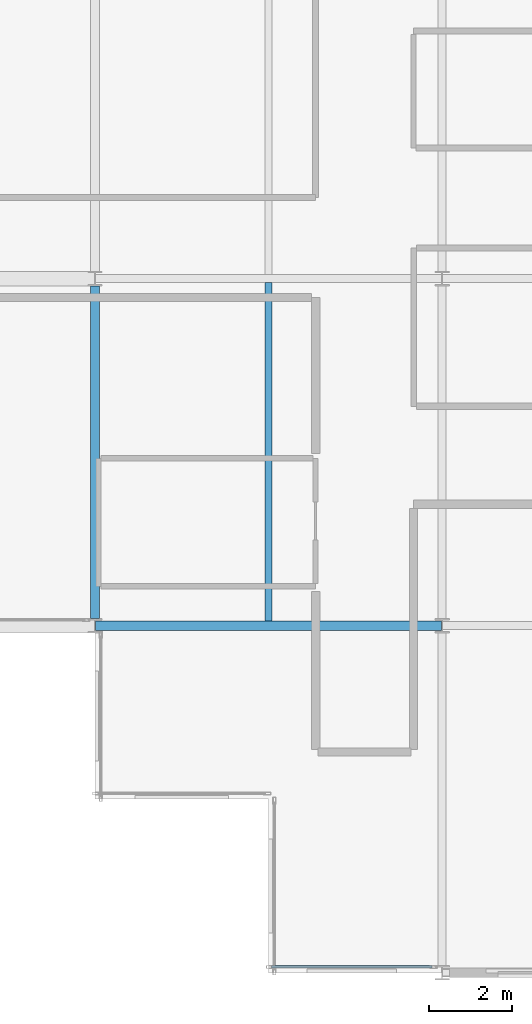
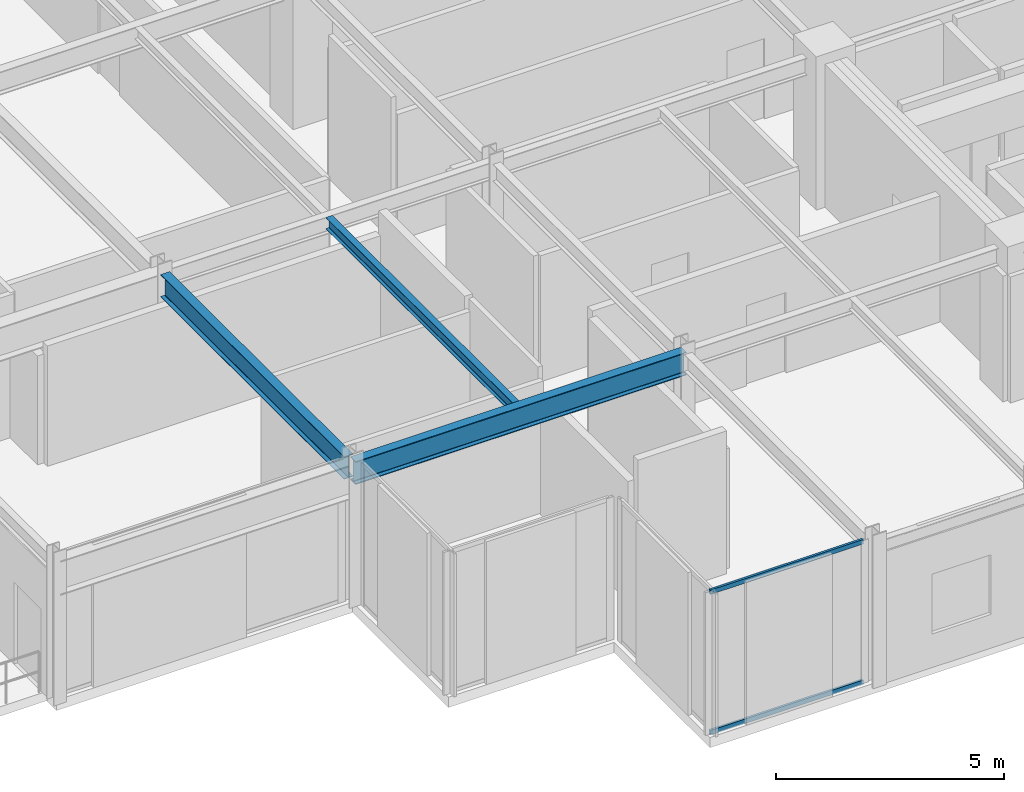
# One storey, part 5 of 29: 3 beams, 2 members, 1 element without a shape of its own.
"""IFC4 building model written with IfcOpenShell, lengths in metres."""

from ifc_helpers import new_model, si_unit, direction, frame, origin, origin_2d, place, context, subcontext, project, spatial, hollow_rectangle, i_section, extrude, material, layer, layer_set, material_profile, profile_set, type_object, element, aggregate, save


model = new_model("IFC4")

# Units and contexts
model_context = context("Model", 3, precision=1e-05, world=origin(), true_north=direction((0.0, 1.0)))
body_context = subcontext(model_context, "Body", "Model", "MODEL_VIEW")
ifc_project = project(units=[si_unit("LENGTHUNIT", "METRE"), si_unit("AREAUNIT", "SQUARE_METRE"), si_unit("VOLUMEUNIT", "CUBIC_METRE"), si_unit("PLANEANGLEUNIT", "RADIAN"), si_unit("MASSUNIT", "GRAM", prefix="KILO")], contexts=[model_context])

# Site, building, storey
site_placement = place(None, origin())
site = spatial("IfcSite", under=ifc_project, at=site_placement, CompositionType="ELEMENT")
building_placement = place(site_placement, origin())
building = spatial("IfcBuilding", under=site, at=building_placement, Name="Nerrivon Quay Data Exchange", CompositionType="ELEMENT")
storey_placement = place(building_placement, frame((0.0, 0.0, 196.0)))
storey = spatial("IfcBuildingStorey", under=building, at=storey_placement, Name="L46", CompositionType="ELEMENT", Elevation=196.0)

# Beams
ifc_material_1 = material(Name="Steel Grade 350", Category="steel")
ifc_material_profile_1 = material_profile(ifc_material_1, i_section(OverallWidth=0.22900390625, OverallDepth=0.612060546875, WebThickness=0.011962890625, FlangeThickness=0.01953125, FilletRadius=0.013916015625, at=origin_2d()), Name="610UB125")
ifc_profile_set_1 = profile_set([ifc_material_profile_1], Name="Steel Grade 350")
beam_type_1 = type_object("IfcBeamType", Name="BM-G1-610UB125", PredefinedType="BEAM", material=ifc_profile_set_1)
beam_1_placement = place(storey_placement, frame((0.010009765625, 8.39990234375, 3.51904296875), z_axis=(1.0, 0.0, 0.0), x_axis=(0.0, 1.0, 0.0)))
element("IfcBeam", 1, at=beam_1_placement, inside=storey, type_object=beam_type_1, Name="L46 EW Girder Y=8.4 (0.0..8.4)", PredefinedType="BEAM", context=body_context, shape_type="SweptSolid", body=[
    extrude(i_section(OverallWidth=0.22900390625, OverallDepth=0.612060546875, WebThickness=0.011962890625, FlangeThickness=0.01953125, FilletRadius=0.013916015625, at=origin_2d()), origin(), (0.0, 0.0, 1.0), 8.3798828125),
])
ifc_material_profile_2 = material_profile(ifc_material_1, i_section(OverallWidth=0.22802734375, OverallDepth=0.60205078125, WebThickness=0.010498046875, FlangeThickness=0.014892578125, FilletRadius=0.013916015625, at=origin_2d()), Name="610UB101")
ifc_profile_set_2 = profile_set([ifc_material_profile_2], Name="Steel Grade 350")
beam_type_2 = type_object("IfcBeamType", Name="BM-G2-610UB101", PredefinedType="BEAM", material=ifc_profile_set_2)
beam_2_placement = place(storey_placement, frame((0.0, 8.574951171875, 3.52392578125), z_axis=(0.0, 1.0, 0.0), x_axis=(-1.0, 0.0, 0.0)))
element("IfcBeam", 2, at=beam_2_placement, inside=storey, type_object=beam_type_2, Name="L46 NS Girder X=0.0 (8.4..16.8)", PredefinedType="BEAM", context=body_context, shape_type="SweptSolid", body=[
    extrude(i_section(OverallWidth=0.22802734375, OverallDepth=0.60205078125, WebThickness=0.010498046875, FlangeThickness=0.014892578125, FilletRadius=0.013916015625, at=origin_2d()), origin(), (0.0, 0.0, 1.0), 8.050048828125),
])
ifc_material_profile_3 = material_profile(ifc_material_1, i_section(OverallWidth=0.166015625, OverallDepth=0.306884765625, WebThickness=0.006591796875, FlangeThickness=0.01171875, FilletRadius=0.011474609375, at=origin_2d()), Name="310UB46.2")
ifc_profile_set_3 = profile_set([ifc_material_profile_3], Name="Steel Grade 350")
beam_type_3 = type_object("IfcBeamType", Name="BM-J5-310UB46", PredefinedType="JOIST", material=ifc_profile_set_3)
beam_3_placement = place(storey_placement, frame((4.199951171875, 8.514404296875, 3.67138671875), z_axis=(0.0, 1.0, 0.0), x_axis=(-1.0, 0.0, 0.0)))
element("IfcBeam", 3, at=beam_3_placement, inside=storey, type_object=beam_type_3, Name="L46 Secondary Joist X=4.2 (8.4..16.8)", PredefinedType="JOIST", context=body_context, shape_type="SweptSolid", body=[
    extrude(i_section(OverallWidth=0.166015625, OverallDepth=0.306884765625, WebThickness=0.006591796875, FlangeThickness=0.01171875, FilletRadius=0.011474609375, at=origin_2d()), origin(), (0.0, 0.0, 1.0), 8.190185546875),
])

# Curtain wall, members
ifc_material_2 = material(Name="Anodised aluminium 6063-T6", Category="aluminium")
ifc_layer = layer(ifc_material_2, 0.195068359375)
ifc_layer_set = layer_set([ifc_layer], Name="Anodised aluminium 6063-T6")
curtain_wall_type = type_object("IfcCurtainWallType", Name="CW-SYS-06", PredefinedType="NOTDEFINED", material=ifc_layer_set)
curtain_wall_placement = place(storey_placement, origin())
curtain_wall = element("IfcCurtainWall", 4, at=curtain_wall_placement, inside=storey, type_object=curtain_wall_type, Name="L46 Unitised Curtain Wall 28", PredefinedType="NOTDEFINED")
ifc_material_profile_4 = material_profile(ifc_material_2, hollow_rectangle(XDim=0.06005859375, YDim=0.1201171875, WallThickness=0.003173828125, at=origin_2d()), Name="ALU-TRAN-120x60")
ifc_profile_set_4 = profile_set([ifc_material_profile_4], Name="Anodised aluminium 6063-T6")
member_type = type_object("IfcMemberType", Name="CWT-120x60", PredefinedType="USERDEFINED", material=ifc_profile_set_4)
member_1_placement = place(storey_placement, frame((8.14990234375, 0.139892578125, 0.032470703125), z_axis=(-1.0, 0.0, 0.0), x_axis=(0.0, -1.0, 0.0)))
member_1 = element("IfcMember", 5, at=member_1_placement, type_object=member_type, Name="CW06 transom 1.1", ObjectType="TRANSOM", PredefinedType="USERDEFINED", context=body_context, shape_type="SweptSolid", body=[
    extrude(hollow_rectangle(XDim=0.06005859375, YDim=0.1201171875, WallThickness=0.003173828125, at=origin_2d()), origin(), (0.0, 0.0, 1.0), 3.875),
])
member_2_placement = place(storey_placement, frame((8.14990234375, 0.139892578125, 3.79248046875), z_axis=(-1.0, 0.0, 0.0), x_axis=(0.0, -1.0, 0.0)))
member_2 = element("IfcMember", 6, at=member_2_placement, type_object=member_type, Name="CW06 transom 1.2", ObjectType="TRANSOM", PredefinedType="USERDEFINED", context=body_context, shape_type="SweptSolid", body=[
    extrude(hollow_rectangle(XDim=0.06005859375, YDim=0.1201171875, WallThickness=0.003173828125, at=origin_2d()), origin(), (0.0, 0.0, 1.0), 3.875),
])
aggregate(curtain_wall, [member_1, member_2])

save(model, "model.ifc")
